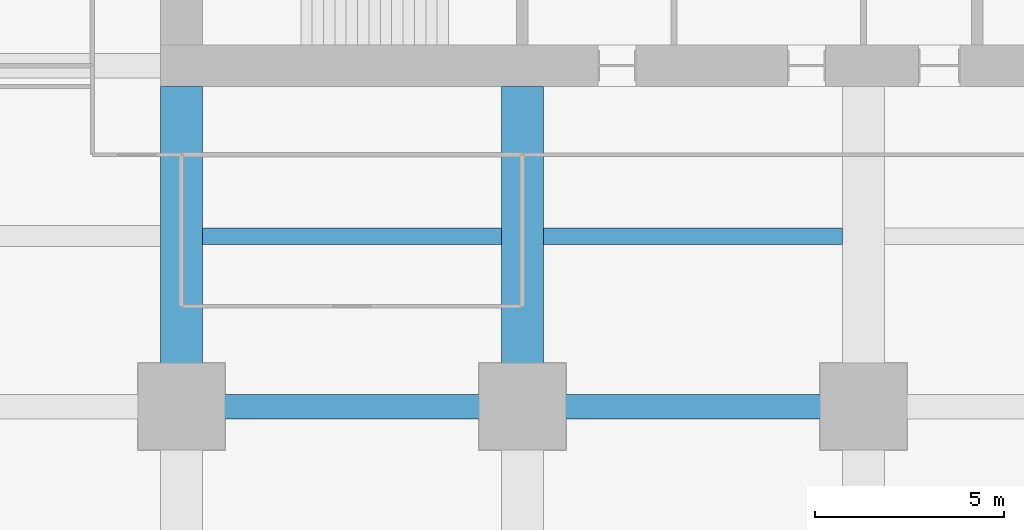
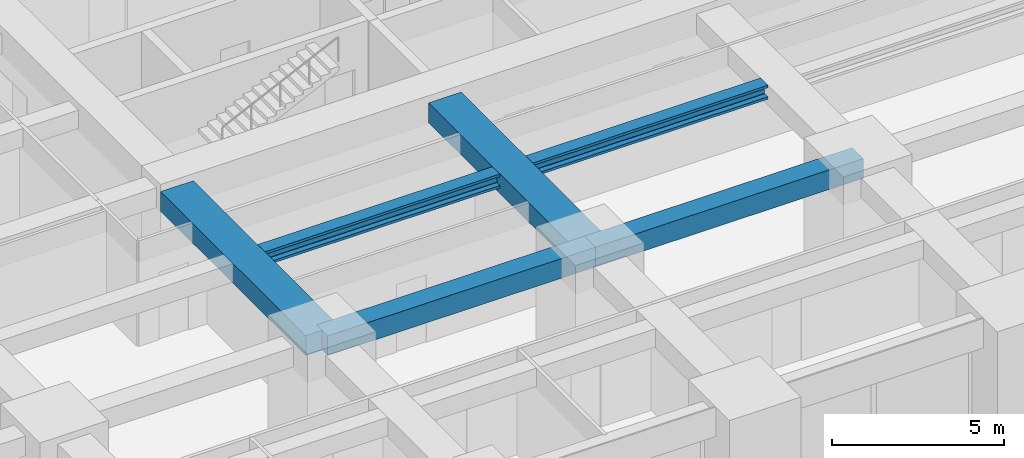
# One storey, part 8 of 45: 6 beams.
"""IFC4 building model written with IfcOpenShell, lengths in metres."""

from ifc_helpers import new_model, si_unit, direction, frame, origin, origin_2d, place, context, subcontext, project, spatial, rectangle, i_section, extrude, material, material_profile, profile_set, type_object, element, save


model = new_model("IFC4")

# Units and contexts
model_context = context("Model", 3, precision=1e-05, world=origin(), true_north=direction((0.0, 1.0)))
body_context = subcontext(model_context, "Body", "Model", "MODEL_VIEW")
ifc_project = project(units=[si_unit("LENGTHUNIT", "METRE"), si_unit("AREAUNIT", "SQUARE_METRE"), si_unit("VOLUMEUNIT", "CUBIC_METRE"), si_unit("PLANEANGLEUNIT", "RADIAN"), si_unit("MASSUNIT", "GRAM", prefix="KILO")], contexts=[model_context])

# Site, building, storey
site_placement = place(None, origin())
site = spatial("IfcSite", under=ifc_project, at=site_placement, CompositionType="ELEMENT")
building_placement = place(site_placement, origin())
building = spatial("IfcBuilding", under=site, at=building_placement, Name="Zorevar Civic Tower", CompositionType="ELEMENT")
storey_placement = place(building_placement, frame((0.0, 0.0, 39.800048828125)))
storey = spatial("IfcBuildingStorey", under=building, at=storey_placement, Name="L09", CompositionType="ELEMENT", Elevation=39.800048828125)

# Beams
ifc_material_1 = material(Name="Concrete C50/60", Category="concrete")
ifc_material_profile_1 = material_profile(ifc_material_1, rectangle(XDim=1.10009765625, YDim=0.699951171875, at=origin_2d()), Name="RC 1100x700")
ifc_profile_set_1 = profile_set([ifc_material_profile_1], Name="Concrete C50/60")
beam_type_1 = type_object("IfcBeamType", Name="Beam RC 1100x700", PredefinedType="BEAM", material=ifc_profile_set_1)
for number, where, z_axis, x_axis, name in (
    (1, (18.0, 9.0, 3.39990234375), (0.0, 1.0, 0.0), (-1.0, 0.0, 0.0), "Girder L10"),
    (2, (27.0, 9.0, 3.39990234375), (0.0, 1.0, 0.0), (-1.0, 0.0, 0.0), "Girder L10"),
):
    element("IfcBeam", number, at=place(storey_placement, frame(where, z_axis=z_axis, x_axis=x_axis)), inside=storey, type_object=beam_type_1, Name=name, PredefinedType="BEAM", context=body_context, shape_type="SweptSolid", body=[
        extrude(rectangle(XDim=1.10009765625, YDim=0.699951171875, at=origin_2d()), origin(), (0.0, 0.0, 1.0), 8.449951171875),
    ])
ifc_material_2 = material(Name="Concrete C50/60", Category="concrete")
ifc_material_profile_2 = material_profile(ifc_material_2, rectangle(XDim=0.64990234375, YDim=0.699951171875, at=origin_2d()), Name="RC 650x700")
ifc_profile_set_2 = profile_set([ifc_material_profile_2], Name="Concrete C50/60")
beam_type_2 = type_object("IfcBeamType", Name="Beam RC 650x700", PredefinedType="BEAM", material=ifc_profile_set_2)
for number, where, z_axis, x_axis, name in (
    (3, (18.0, 9.0, 3.39990234375), (1.0, 0.0, 0.0), (0.0, 1.0, 0.0), "Girder L10"),
    (4, (27.0, 9.0, 3.39990234375), (1.0, 0.0, 0.0), (0.0, 1.0, 0.0), "Girder L10"),
):
    element("IfcBeam", number, at=place(storey_placement, frame(where, z_axis=z_axis, x_axis=x_axis)), inside=storey, type_object=beam_type_2, Name=name, PredefinedType="BEAM", context=body_context, shape_type="SweptSolid", body=[
        extrude(rectangle(XDim=0.64990234375, YDim=0.699951171875, at=origin_2d()), origin(), (0.0, 0.0, 1.0), 9.0),
    ])
ifc_material_3 = material(Name="Steel S460M (HISTAR 460)", Category="steel")
ifc_material_profile_3 = material_profile(ifc_material_3, i_section(OverallWidth=0.431884765625, OverallDepth=0.498046875, WebThickness=0.0556640625, FlangeThickness=0.0888671875, FilletRadius=0.014892578125, at=origin_2d()), Name="HD 400x744")
ifc_profile_set_3 = profile_set([ifc_material_profile_3], Name="Steel S460M (HISTAR 460)")
beam_type_3 = type_object("IfcBeamType", Name="Core bay beam HD 400x744", PredefinedType="BEAM", material=ifc_profile_set_3)
for number, where, z_axis, x_axis, name in (
    (5, (18.550048828125, 13.5, 3.5009765625), (1.0, 0.0, 0.0), (0.0, 1.0, 0.0), "Secondary beam L10"),
    (6, (27.550048828125, 13.5, 3.5009765625), (1.0, 0.0, 0.0), (0.0, 1.0, 0.0), "Secondary beam L10"),
):
    element("IfcBeam", number, at=place(storey_placement, frame(where, z_axis=z_axis, x_axis=x_axis)), inside=storey, type_object=beam_type_3, Name=name, PredefinedType="BEAM", context=body_context, shape_type="SweptSolid", body=[
        extrude(i_section(OverallWidth=0.431884765625, OverallDepth=0.498046875, WebThickness=0.0556640625, FlangeThickness=0.0888671875, FilletRadius=0.014892578125, at=origin_2d()), origin(), (0.0, 0.0, 1.0), 7.89990234375),
    ])

save(model, "model.ifc")
